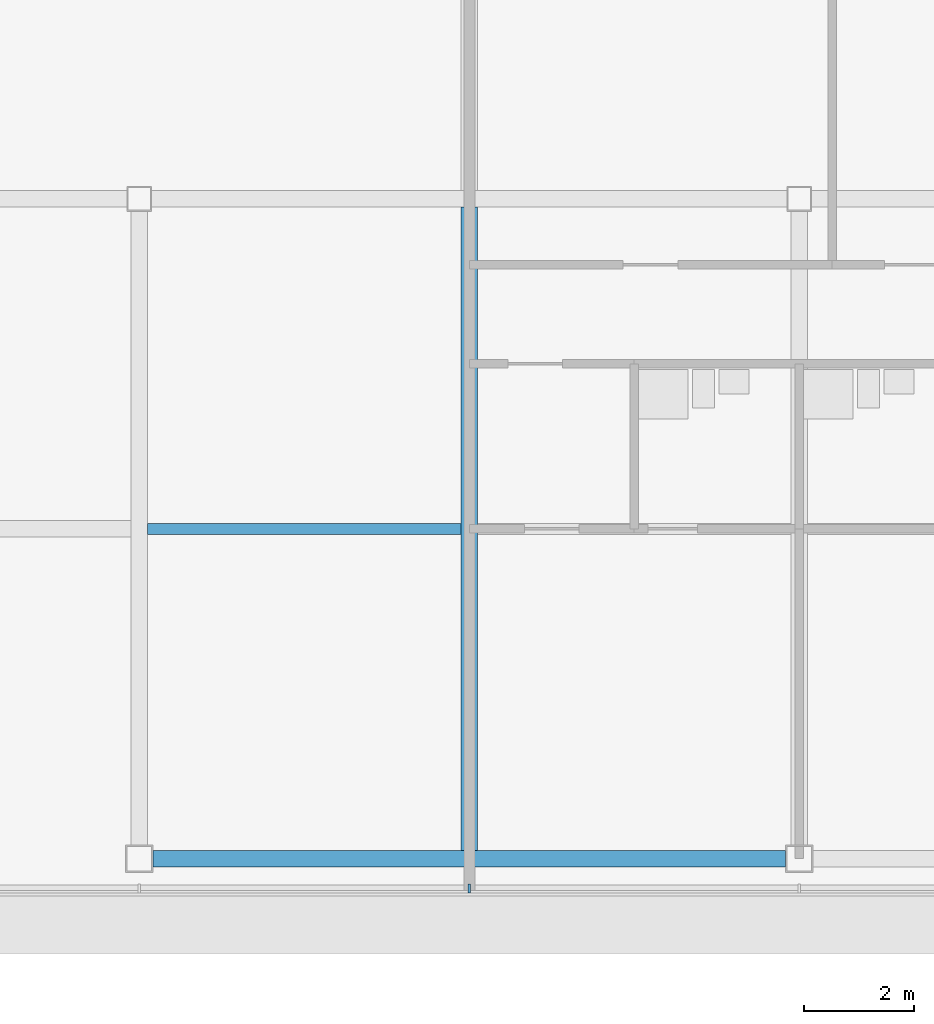
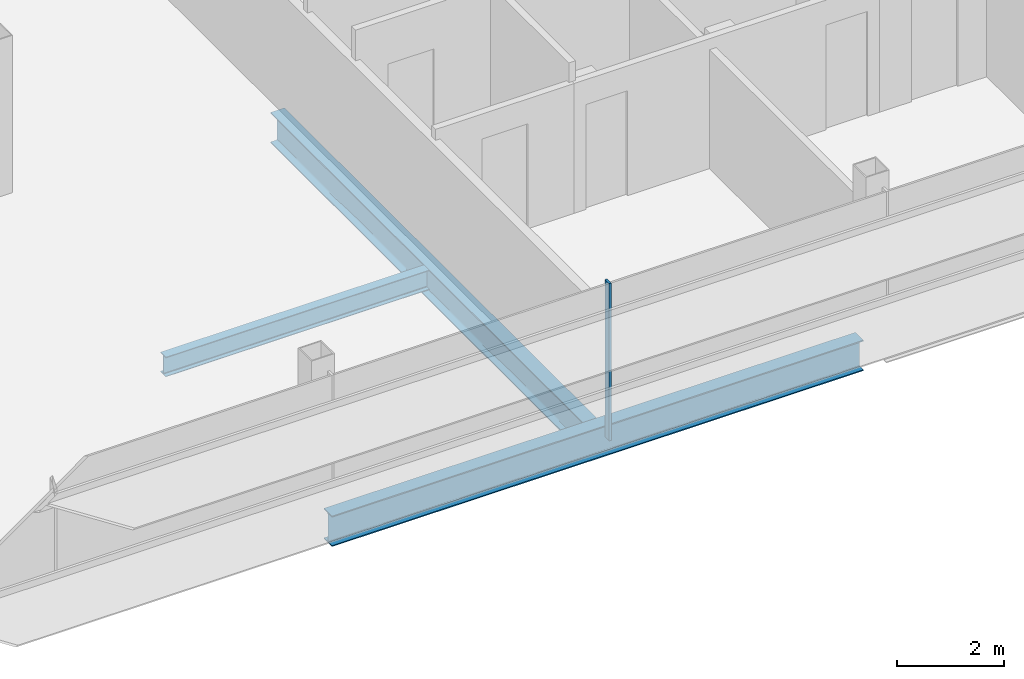
# One storey, part 10 of 31: 3 beams, 1 member, 1 element without a shape of its own.
"""IFC4 building model written with IfcOpenShell, lengths in metres."""

from ifc_helpers import new_model, si_unit, direction, frame, origin, origin_2d, place, context, subcontext, project, spatial, rectangle, i_section, extrude, material, material_profile, profile_set, type_object, element, aggregate, save


model = new_model("IFC4")

# Units and contexts
model_context = context("Model", 3, precision=1e-05, world=origin(), true_north=direction((0.0, 1.0)))
body_context = subcontext(model_context, "Body", "Model", "MODEL_VIEW")
ifc_project = project(units=[si_unit("LENGTHUNIT", "METRE"), si_unit("AREAUNIT", "SQUARE_METRE"), si_unit("VOLUMEUNIT", "CUBIC_METRE"), si_unit("PLANEANGLEUNIT", "RADIAN"), si_unit("MASSUNIT", "GRAM", prefix="KILO")], contexts=[model_context])

# Site, building, storey
site_placement = place(None, origin())
site = spatial("IfcSite", under=ifc_project, at=site_placement, CompositionType="ELEMENT")
building_placement = place(site_placement, origin())
building = spatial("IfcBuilding", under=site, at=building_placement, Name="Sorahane Residences", CompositionType="ELEMENT")
storey_placement = place(building_placement, frame((0.0, 0.0, 319.60009765625)))
storey = spatial("IfcBuildingStorey", under=building, at=storey_placement, Name="L76", CompositionType="ELEMENT", Elevation=319.60009765625)

# Curtain wall, member
ifc_material_1 = material(Name="Dark low-e glass and black anodised aluminium", Category="aluminium")
curtain_wall_type = type_object("IfcCurtainWallType", Name="Curtain wall CW-1 Typical unitised wall", PredefinedType="NOTDEFINED", material=ifc_material_1)
curtain_wall_placement = place(storey_placement, origin())
curtain_wall = element("IfcCurtainWall", 1, at=curtain_wall_placement, inside=storey, type_object=curtain_wall_type, Name="CW-1 curtain wall L76 S2", PredefinedType="NOTDEFINED")
ifc_material_2 = material(Name="Black anodised aluminium", Category="aluminium")
ifc_material_profile_1 = material_profile(ifc_material_2, rectangle(XDim=0.159912109375, YDim=0.050048828125, at=origin_2d()), Name="Curtain wall mullion CW-1 black anodised aluminium 50x160")
ifc_profile_set_1 = profile_set([ifc_material_profile_1], Name="Black anodised aluminium")
member_type = type_object("IfcMemberType", Name="Curtain wall mullion CW-1 black anodised aluminium 50x160", PredefinedType="MULLION", material=ifc_profile_set_1)
member_placement = place(storey_placement, frame((18.0, -0.5400390625, -0.18017578125), z_axis=(0.0, 0.0, 1.0), x_axis=(0.0, -1.0, 0.0)))
member = element("IfcMember", 2, at=member_placement, type_object=member_type, Name="CW-1 mullion L76 S2.4", PredefinedType="MULLION", context=body_context, shape_type="SweptSolid", body=[
    extrude(rectangle(XDim=0.159912109375, YDim=0.050048828125, at=origin_2d()), origin(), (0.0, 0.0, 1.0), 3.60009765625),
])
aggregate(curtain_wall, [member])

# Beams
ifc_material_3 = material(Name="Steel Q355B", Category="steel")
ifc_material_profile_2 = material_profile(ifc_material_3, i_section(OverallWidth=0.199951171875, OverallDepth=0.449951171875, WebThickness=0.009033203125, FlangeThickness=0.013916015625, FilletRadius=0.02001953125, at=origin_2d()), Name="HN 450x200x9x14")
ifc_profile_set_2 = profile_set([ifc_material_profile_2], Name="Steel Q355B")
beam_type_1 = type_object("IfcBeamType", Name="Steel floor beam HN 450x200x9x14 Q355B", PredefinedType="BEAM", material=ifc_profile_set_2)
beam_1_placement = place(storey_placement, frame((12.14990234375, 6.0, -0.405029296875), z_axis=(1.0, 0.0, 0.0), x_axis=(0.0, 1.0, 0.0)))
element("IfcBeam", 3, at=beam_1_placement, inside=storey, type_object=beam_type_1, Name="Beam L76 068", PredefinedType="BEAM", context=body_context, shape_type="SweptSolid", body=[
    extrude(i_section(OverallWidth=0.199951171875, OverallDepth=0.449951171875, WebThickness=0.009033203125, FlangeThickness=0.013916015625, FilletRadius=0.02001953125, at=origin_2d()), origin(), (0.0, 0.0, 1.0), 5.7001953125),
])
ifc_material_4 = material(Name="Steel Q355B", Category="steel")
ifc_material_profile_3 = material_profile(ifc_material_4, i_section(OverallWidth=0.300048828125, OverallDepth=0.699951171875, WebThickness=0.012939453125, FlangeThickness=0.02392578125, FilletRadius=0.028076171875, at=origin_2d()), Name="HN 700x300x13x24")
ifc_profile_set_3 = profile_set([ifc_material_profile_3], Name="Steel Q355B")
beam_type_2 = type_object("IfcBeamType", Name="Steel floor beam HN 700x300x13x24 Q355B", PredefinedType="BEAM", material=ifc_profile_set_3)
beam_2_placement = place(storey_placement, frame((12.25, 0.0, -0.530029296875), z_axis=(1.0, 0.0, 0.0), x_axis=(0.0, 1.0, 0.0)))
element("IfcBeam", 4, at=beam_2_placement, inside=storey, type_object=beam_type_2, Name="Beam L76 002", PredefinedType="BEAM", context=body_context, shape_type="SweptSolid", body=[
    extrude(i_section(OverallWidth=0.300048828125, OverallDepth=0.699951171875, WebThickness=0.012939453125, FlangeThickness=0.02392578125, FilletRadius=0.028076171875, at=origin_2d()), origin(), (0.0, 0.0, 1.0), 11.5),
])
beam_3_placement = place(storey_placement, frame((18.0, 0.14990234375, -0.530029296875), z_axis=(0.0, 1.0, 0.0), x_axis=(-1.0, 0.0, 0.0)))
element("IfcBeam", 5, at=beam_3_placement, inside=storey, type_object=beam_type_2, Name="Beam L76 039", PredefinedType="BEAM", context=body_context, shape_type="SweptSolid", body=[
    extrude(i_section(OverallWidth=0.300048828125, OverallDepth=0.699951171875, WebThickness=0.012939453125, FlangeThickness=0.02392578125, FilletRadius=0.028076171875, at=origin_2d()), origin(), (0.0, 0.0, 1.0), 11.7001953125),
])

save(model, "model.ifc")
